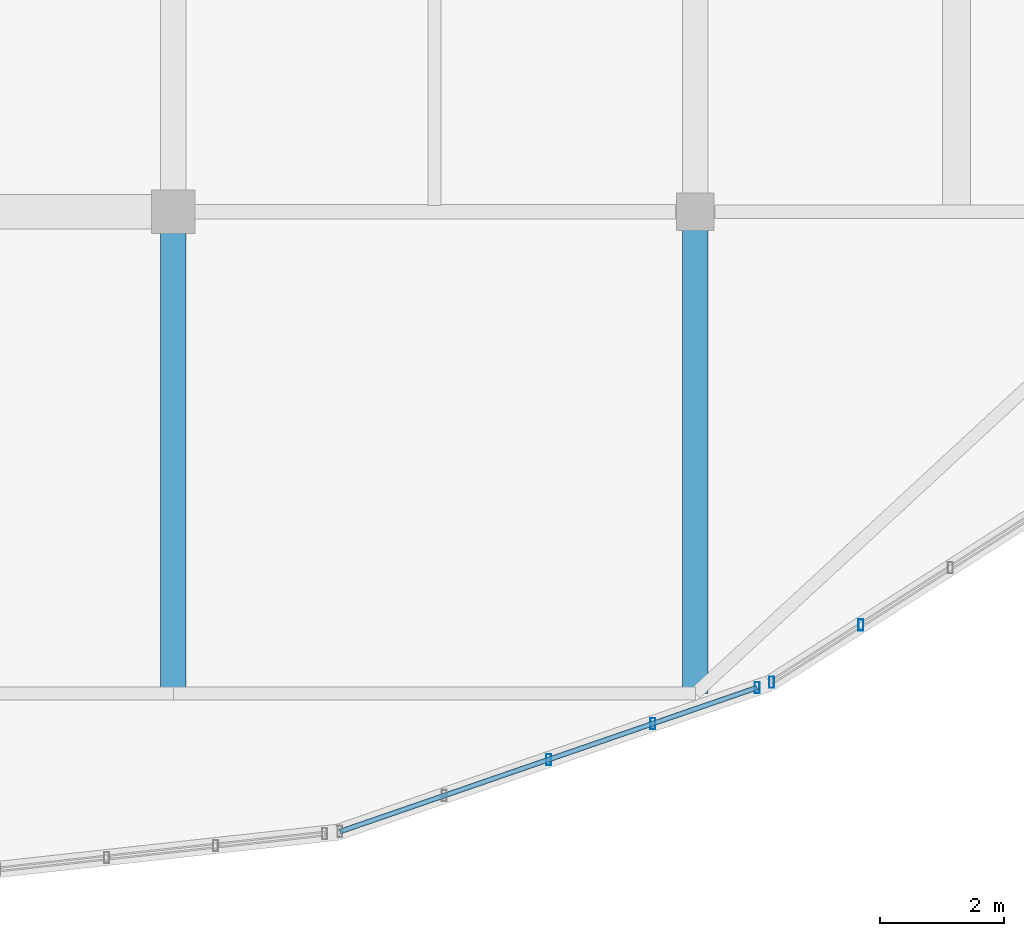
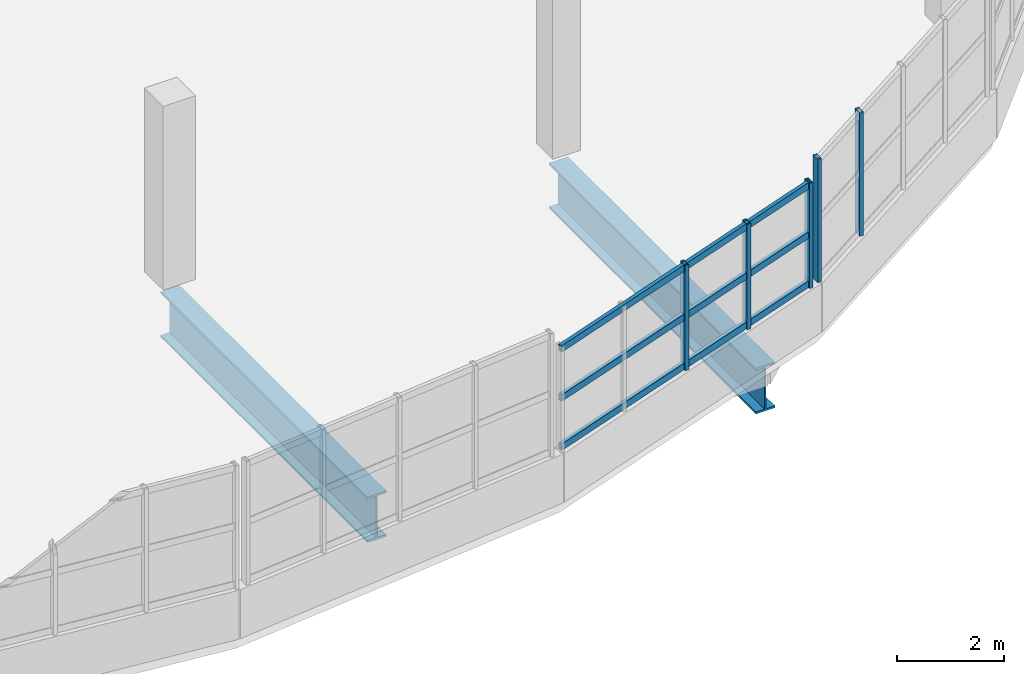
# One storey, part 18 of 52: 8 members, 2 beams, 2 elements without a shape of their own.
"""IFC4 building model written with IfcOpenShell, lengths in metres."""

from ifc_helpers import new_model, si_unit, direction, frame, origin, origin_2d, place, context, subcontext, project, spatial, hollow_rectangle, i_section, extrude, material, material_profile, profile_set, type_object, element, aggregate, save


model = new_model("IFC4")

# Units and contexts
model_context = context("Model", 3, precision=1e-05, world=origin(), true_north=direction((0.0, 1.0)))
body_context = subcontext(model_context, "Body", "Model", "MODEL_VIEW")
ifc_project = project(units=[si_unit("LENGTHUNIT", "METRE"), si_unit("AREAUNIT", "SQUARE_METRE"), si_unit("VOLUMEUNIT", "CUBIC_METRE"), si_unit("PLANEANGLEUNIT", "RADIAN"), si_unit("MASSUNIT", "GRAM", prefix="KILO")], contexts=[model_context])

# Site, building, storey
site_placement = place(None, origin())
site = spatial("IfcSite", under=ifc_project, at=site_placement, CompositionType="ELEMENT")
building_placement = place(site_placement, origin())
building = spatial("IfcBuilding", under=site, at=building_placement, Name="Solvento Point Concert Hall", CompositionType="ELEMENT")
storey_placement = place(building_placement, frame((0.0, 0.0, 19.5)))
storey = spatial("IfcBuildingStorey", under=building, at=storey_placement, Name="L04", CompositionType="ELEMENT", Elevation=19.5)

# Beams
ifc_material_1 = material(Name="Structural Steel ASTM A992 Grade 50", Category="steel")
ifc_material_profile_1 = material_profile(ifc_material_1, i_section(OverallWidth=0.408935546875, OverallDepth=1.041015625, WebThickness=0.031005859375, FlangeThickness=0.04443359375, at=origin_2d()), Name="W40X397")
ifc_profile_set_1 = profile_set([ifc_material_profile_1], Name="Structural Steel ASTM A992 Grade 50")
beam_type = type_object("IfcBeamType", Name="CantileverGirder_W40X397", PredefinedType="USERDEFINED", material=ifc_profile_set_1)
for number, where, z_axis, x_axis, name in (
    (1, (66.0, 17.0, -0.8154296875), (0.0, -1.0, 0.0), (1.0, 0.0, 0.0), "Radial cantilever girder CG-01 L04"),
    (2, (74.39990234375, 17.0, -0.8154296875), (0.0, -1.0, 0.0), (1.0, 0.0, 0.0), "Radial cantilever girder CG-01 L04"),
):
    element("IfcBeam", number, at=place(storey_placement, frame(where, z_axis=z_axis, x_axis=x_axis)), inside=storey, type_object=beam_type, Name=name, ObjectType="GIRDER", PredefinedType="USERDEFINED", context=body_context, shape_type="SweptSolid", body=[
        extrude(i_section(OverallWidth=0.408935546875, OverallDepth=1.041015625, WebThickness=0.031005859375, FlangeThickness=0.04443359375, at=origin_2d()), origin(), (0.0, 0.0, 1.0), 7.75),
    ])

# Curtain wall, members
ifc_material_2 = material(Name="Anodized Bronze Aluminium", Category="aluminium")
curtain_wall_type = type_object("IfcCurtainWallType", Name="CurtainWall_RingRibbon_L03_04", PredefinedType="USERDEFINED", material=ifc_material_2)
curtain_wall_1_placement = place(storey_placement, origin())
curtain_wall_1 = element("IfcCurtainWall", 3, at=curtain_wall_1_placement, inside=storey, type_object=curtain_wall_type, Name="Unitised curtain wall CW-31 UCW-L04-228", ObjectType="UNITISED CURTAIN WALL", PredefinedType="USERDEFINED")
ifc_material_3 = material(Name="Anodized Bronze Aluminium", Category="aluminium")
ifc_material_profile_2 = material_profile(ifc_material_3, hollow_rectangle(XDim=0.080078125, YDim=0.179931640625, WallThickness=0.00390625, at=origin_2d()), Name="CW-MUL-80X180")
ifc_profile_set_2 = profile_set([ifc_material_profile_2], Name="Anodized Bronze Aluminium")
member_type_1 = type_object("IfcMemberType", Name="Mullion_80x180", PredefinedType="MULLION", material=ifc_profile_set_2)
member_1_placement = place(storey_placement, frame((77.063720703125, 10.351318359375, 1.1201171875), z_axis=(0.0, 0.0, 1.0), x_axis=(1.0, 0.0, 0.0)))
member_1 = element("IfcMember", 4, at=member_1_placement, type_object=member_type_1, Name="Curtain wall mullion ML-01", PredefinedType="MULLION", context=body_context, shape_type="SweptSolid", body=[
    extrude(hollow_rectangle(XDim=0.080078125, YDim=0.179931640625, WallThickness=0.00390625, at=origin_2d()), origin(), (0.0, 0.0, 1.0), 2.81982421875),
])
member_2_placement = place(storey_placement, frame((75.625244140625, 9.431640625, 1.1201171875), z_axis=(0.0, 0.0, 1.0), x_axis=(1.0, 0.0, 0.0)))
member_2 = element("IfcMember", 5, at=member_2_placement, type_object=member_type_1, Name="Curtain wall mullion ML-01", PredefinedType="MULLION", context=body_context, shape_type="SweptSolid", body=[
    extrude(hollow_rectangle(XDim=0.080078125, YDim=0.179931640625, WallThickness=0.00390625, at=origin_2d()), origin(), (0.0, 0.0, 1.0), 2.81982421875),
])
aggregate(curtain_wall_1, [member_1, member_2])

curtain_wall_2_placement = place(storey_placement, origin())
curtain_wall_2 = element("IfcCurtainWall", 6, at=curtain_wall_2_placement, inside=storey, type_object=curtain_wall_type, Name="Unitised curtain wall CW-31 UCW-L04-229", ObjectType="UNITISED CURTAIN WALL", PredefinedType="USERDEFINED")
member_3_placement = place(storey_placement, frame((75.39208984375, 9.343505859375, 1.1201171875), z_axis=(0.0, 0.0, 1.0), x_axis=(1.0, 0.0, 0.0)))
member_3 = element("IfcMember", 7, at=member_3_placement, type_object=member_type_1, Name="Curtain wall mullion ML-01", PredefinedType="MULLION", context=body_context, shape_type="SweptSolid", body=[
    extrude(hollow_rectangle(XDim=0.080078125, YDim=0.179931640625, WallThickness=0.00390625, at=origin_2d()), origin(), (0.0, 0.0, 1.0), 2.407470703125),
])
member_4_placement = place(storey_placement, frame((73.714599609375, 8.7646484375, 1.1201171875), z_axis=(0.0, 0.0, 1.0), x_axis=(1.0, 0.0, 0.0)))
member_4 = element("IfcMember", 8, at=member_4_placement, type_object=member_type_1, Name="Curtain wall mullion ML-01", PredefinedType="MULLION", context=body_context, shape_type="SweptSolid", body=[
    extrude(hollow_rectangle(XDim=0.080078125, YDim=0.179931640625, WallThickness=0.00390625, at=origin_2d()), origin(), (0.0, 0.0, 1.0), 2.407470703125),
])
member_5_placement = place(storey_placement, frame((72.037109375, 8.185546875, 1.1201171875), z_axis=(0.0, 0.0, 1.0), x_axis=(1.0, 0.0, 0.0)))
member_5 = element("IfcMember", 9, at=member_5_placement, type_object=member_type_1, Name="Curtain wall mullion ML-01", PredefinedType="MULLION", context=body_context, shape_type="SweptSolid", body=[
    extrude(hollow_rectangle(XDim=0.080078125, YDim=0.179931640625, WallThickness=0.00390625, at=origin_2d()), origin(), (0.0, 0.0, 1.0), 2.407470703125),
])
ifc_material_4 = material(Name="Anodized Bronze Aluminium", Category="aluminium")
ifc_material_profile_3 = material_profile(ifc_material_4, hollow_rectangle(XDim=0.080078125, YDim=0.14990234375, WallThickness=0.00390625, at=origin_2d()), Name="CW-TRN-80X150")
ifc_profile_set_3 = profile_set([ifc_material_profile_3], Name="Anodized Bronze Aluminium")
member_type_2 = type_object("IfcMemberType", Name="Transom_80x150", PredefinedType="USERDEFINED", material=ifc_profile_set_3)
member_6_placement = place(storey_placement, frame((75.39208984375, 9.343505859375, 1.199951171875), z_axis=(-0.945276444278, -0.326270507238, 0.0), x_axis=(0.326270507238, -0.945276444278, 0.0)))
member_6 = element("IfcMember", 10, at=member_6_placement, type_object=member_type_2, Name="Curtain wall transom TR-01", ObjectType="TRANSOM", PredefinedType="USERDEFINED", context=body_context, shape_type="SweptSolid", body=[
    extrude(hollow_rectangle(XDim=0.080078125, YDim=0.14990234375, WallThickness=0.00390625, at=origin_2d()), origin(), (0.0, 0.0, 1.0), 7.09814453125),
])
member_7_placement = place(storey_placement, frame((75.39208984375, 9.343505859375, 2.32373046875), z_axis=(-0.945276444278, -0.326270507238, 0.0), x_axis=(0.326270507238, -0.945276444278, 0.0)))
member_7 = element("IfcMember", 11, at=member_7_placement, type_object=member_type_2, Name="Curtain wall transom TR-01", ObjectType="TRANSOM", PredefinedType="USERDEFINED", context=body_context, shape_type="SweptSolid", body=[
    extrude(hollow_rectangle(XDim=0.080078125, YDim=0.14990234375, WallThickness=0.00390625, at=origin_2d()), origin(), (0.0, 0.0, 1.0), 7.09814453125),
])
member_8_placement = place(storey_placement, frame((75.39208984375, 9.343505859375, 3.447509765625), z_axis=(-0.945276444278, -0.326270507238, 0.0), x_axis=(0.326270507238, -0.945276444278, 0.0)))
member_8 = element("IfcMember", 12, at=member_8_placement, type_object=member_type_2, Name="Curtain wall transom TR-01", ObjectType="TRANSOM", PredefinedType="USERDEFINED", context=body_context, shape_type="SweptSolid", body=[
    extrude(hollow_rectangle(XDim=0.080078125, YDim=0.14990234375, WallThickness=0.00390625, at=origin_2d()), origin(), (0.0, 0.0, 1.0), 7.09814453125),
])
aggregate(curtain_wall_2, [member_3, member_4, member_5, member_6, member_7, member_8])

save(model, "model.ifc")
